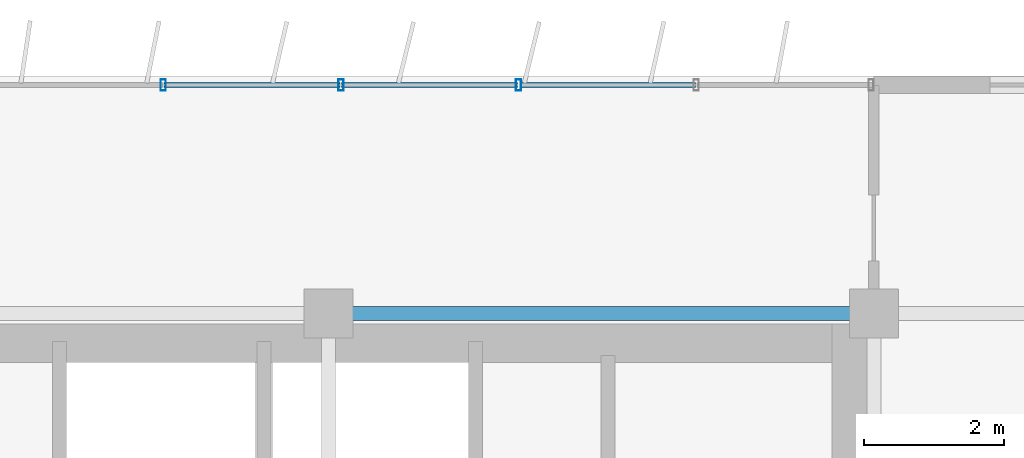
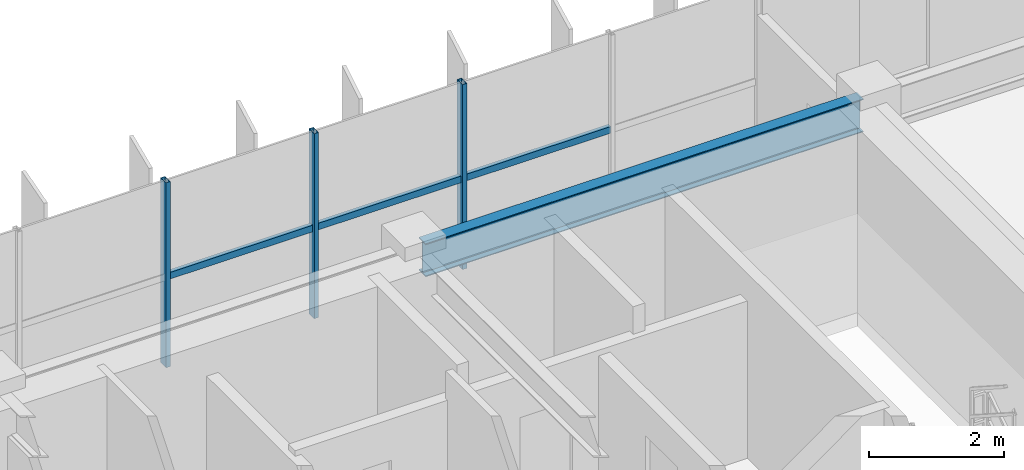
# One storey, part 10 of 20: 6 members, 1 beam, 1 element without a shape of its own.
"""IFC4 building model written with IfcOpenShell, lengths in metres."""

from ifc_helpers import new_model, si_unit, direction, frame, origin, origin_2d, place, context, subcontext, project, spatial, hollow_rectangle, i_section, extrude, source, transform, mapped, material, material_profile, profile_set, type_object, element, aggregate, save


model = new_model("IFC4")

# Units and contexts
model_context = context("Model", 3, precision=1e-05, world=origin(), true_north=direction((0.0, 1.0)))
body_context = subcontext(model_context, "Body", "Model", "MODEL_VIEW")
ifc_project = project(units=[si_unit("LENGTHUNIT", "METRE"), si_unit("AREAUNIT", "SQUARE_METRE"), si_unit("VOLUMEUNIT", "CUBIC_METRE"), si_unit("PLANEANGLEUNIT", "RADIAN"), si_unit("MASSUNIT", "GRAM", prefix="KILO")], contexts=[model_context])

# Site, building, storey
site_placement = place(None, origin())
site = spatial("IfcSite", under=ifc_project, at=site_placement, CompositionType="ELEMENT")
building_placement = place(site_placement, origin())
building = spatial("IfcBuilding", under=site, at=building_placement, Name="Trelvane Seafront Commons", CompositionType="ELEMENT")
storey_placement = place(building_placement, frame((0.0, 0.0, 168.10009765625)))
storey = spatial("IfcBuildingStorey", under=building, at=storey_placement, Name="L44", CompositionType="ELEMENT", Elevation=168.10009765625)

# Beam
ifc_material_1 = material(Name="Steel SM355 (S355)", Category="steel")
ifc_material_profile_1 = material_profile(ifc_material_1, i_section(OverallWidth=0.199951171875, OverallDepth=0.60009765625, WebThickness=0.010986328125, FlangeThickness=0.01708984375, at=origin_2d()), Name="H-600x200x11x17")
ifc_profile_set_1 = profile_set([ifc_material_profile_1], Name="Steel SM355 (S355)")
beam_type = type_object("IfcBeamType", Name="STR-SPD-H600", PredefinedType="SPANDREL", material=ifc_profile_set_1)
shared_shape_1 = source(origin(), body_context, "Body", "SweptSolid", [
    extrude(i_section(OverallWidth=0.199951171875, OverallDepth=0.60009765625, WebThickness=0.010986328125, FlangeThickness=0.01708984375, at=origin_2d()), origin(), (0.0, 0.0, 1.0), 7.5),
])
beam_placement = place(storey_placement, frame((51.14990234375, 45.10009765625, 3.0498046875), z_axis=(1.0, 0.0, 0.0), x_axis=(0.0, 1.0, 0.0)))
element("IfcBeam", 1, at=beam_placement, inside=storey, type_object=beam_type, Name="L44 Primary Girder G-27", PredefinedType="SPANDREL", context=body_context, shape_type="MappedRepresentation", body=[
    mapped(shared_shape_1, transform((0.0, 0.0, 0.0), x_axis=(1.0, 0.0, 0.0), y_axis=(0.0, 1.0, 0.0), z_axis=(0.0, 0.0, 1.0), scale=1.0)),
])

# Curtain wall, members
ifc_material_2 = material(Name="Anodised pale-silver aluminium", Category="aluminium")
curtain_wall_type = type_object("IfcCurtainWallType", Name="ARCH-CW5-UPTOWER", PredefinedType="NOTDEFINED", material=ifc_material_2)
curtain_wall_placement = place(storey_placement, origin())
curtain_wall = element("IfcCurtainWall", 2, at=curtain_wall_placement, inside=storey, type_object=curtain_wall_type, Name="CW-L44-0071", PredefinedType="NOTDEFINED")
ifc_material_profile_2 = material_profile(ifc_material_2, hollow_rectangle(XDim=0.070068359375, YDim=0.1201171875, WallThickness=0.00390625, at=origin_2d()), Name="TRAN-70x120x4")
ifc_profile_set_2 = profile_set([ifc_material_profile_2], Name="Anodised pale-silver aluminium")
member_type_1 = type_object("IfcMemberType", Name="ARCH-CW-TRAN-120", PredefinedType="USERDEFINED", material=ifc_profile_set_2)
shared_shape_2 = source(origin(), body_context, "Body", "SweptSolid", [
    extrude(hollow_rectangle(XDim=0.070068359375, YDim=0.1201171875, WallThickness=0.00390625, at=origin_2d()), origin(), (0.0, 0.0, 1.0), 2.51708984375),
])
member_1_placement = place(storey_placement, frame((51.1884765625, 48.3701171875, 1.60791015625), z_axis=(1.0, 0.0, 0.0), x_axis=(0.0, 1.0, 0.0)))
member_1 = element("IfcMember", 3, at=member_1_placement, type_object=member_type_1, Name="CW-L44-0071-T14", ObjectType="TRANSOM", PredefinedType="USERDEFINED", context=body_context, shape_type="MappedRepresentation", body=[
    mapped(shared_shape_2, transform((0.0, 0.0, 0.0), x_axis=(1.0, 0.0, 0.0), y_axis=(0.0, 1.0, 0.0), z_axis=(0.0, 0.0, 1.0), scale=1.0)),
])
shared_shape_3 = source(origin(), body_context, "Body", "SweptSolid", [
    extrude(hollow_rectangle(XDim=0.070068359375, YDim=0.1201171875, WallThickness=0.00390625, at=origin_2d()), origin(), (0.0, 0.0, 1.0), 2.517333984375),
])
member_2_placement = place(storey_placement, frame((48.647216796875, 48.3701171875, 1.60791015625), z_axis=(1.0, 0.0, 0.0), x_axis=(0.0, 1.0, 0.0)))
member_2 = element("IfcMember", 4, at=member_2_placement, type_object=member_type_1, Name="CW-L44-0071-T13", ObjectType="TRANSOM", PredefinedType="USERDEFINED", context=body_context, shape_type="MappedRepresentation", body=[
    mapped(shared_shape_3, transform((0.0, 0.0, 0.0), x_axis=(1.0, 0.0, 0.0), y_axis=(0.0, 1.0, 0.0), z_axis=(0.0, 0.0, 1.0), scale=1.0)),
])
member_3_placement = place(storey_placement, frame((53.7294921875, 48.3701171875, 1.60791015625), z_axis=(1.0, 0.0, 0.0), x_axis=(0.0, 1.0, 0.0)))
member_3 = element("IfcMember", 5, at=member_3_placement, type_object=member_type_1, Name="CW-L44-0071-T15", ObjectType="TRANSOM", PredefinedType="USERDEFINED", context=body_context, shape_type="MappedRepresentation", body=[
    mapped(shared_shape_3, transform((0.0, 0.0, 0.0), x_axis=(1.0, 0.0, 0.0), y_axis=(0.0, 1.0, 0.0), z_axis=(0.0, 0.0, 1.0), scale=1.0)),
])
ifc_material_profile_3 = material_profile(ifc_material_2, hollow_rectangle(XDim=0.074951171875, YDim=0.159912109375, WallThickness=0.00390625, at=origin_2d()), Name="MULL-75x160x4")
ifc_profile_set_3 = profile_set([ifc_material_profile_3], Name="Anodised pale-silver aluminium")
member_type_2 = type_object("IfcMemberType", Name="ARCH-CW-MULL-160", PredefinedType="MULLION", material=ifc_profile_set_3)
shared_shape_4 = source(origin(), body_context, "Body", "SweptSolid", [
    extrude(hollow_rectangle(XDim=0.074951171875, YDim=0.159912109375, WallThickness=0.00390625, at=origin_2d()), origin(), (0.0, 0.0, 1.0), 3.349853515625),
])
member_4_placement = place(storey_placement, frame((48.63525390625, 48.3701171875, 0.0), z_axis=(0.0, 0.0, 1.0), x_axis=(1.0, 0.0, 0.0)))
member_4 = element("IfcMember", 6, at=member_4_placement, type_object=member_type_2, Name="CW-L44-0071-M13", PredefinedType="MULLION", context=body_context, shape_type="MappedRepresentation", body=[
    mapped(shared_shape_4, transform((0.0, 0.0, 0.0), x_axis=(1.0, 0.0, 0.0), y_axis=(0.0, 1.0, 0.0), z_axis=(0.0, 0.0, 1.0), scale=1.0)),
])
member_5_placement = place(storey_placement, frame((51.176513671875, 48.3701171875, 0.0), z_axis=(0.0, 0.0, 1.0), x_axis=(1.0, 0.0, 0.0)))
member_5 = element("IfcMember", 7, at=member_5_placement, type_object=member_type_2, Name="CW-L44-0071-M14", PredefinedType="MULLION", context=body_context, shape_type="MappedRepresentation", body=[
    mapped(shared_shape_4, transform((0.0, 0.0, 0.0), x_axis=(1.0, 0.0, 0.0), y_axis=(0.0, 1.0, 0.0), z_axis=(0.0, 0.0, 1.0), scale=1.0)),
])
member_6_placement = place(storey_placement, frame((53.717529296875, 48.3701171875, 0.0), z_axis=(0.0, 0.0, 1.0), x_axis=(1.0, 0.0, 0.0)))
member_6 = element("IfcMember", 8, at=member_6_placement, type_object=member_type_2, Name="CW-L44-0071-M15", PredefinedType="MULLION", context=body_context, shape_type="MappedRepresentation", body=[
    mapped(shared_shape_4, transform((0.0, 0.0, 0.0), x_axis=(1.0, 0.0, 0.0), y_axis=(0.0, 1.0, 0.0), z_axis=(0.0, 0.0, 1.0), scale=1.0)),
])
aggregate(curtain_wall, [member_4, member_5, member_6, member_2, member_1, member_3])

save(model, "model.ifc")
